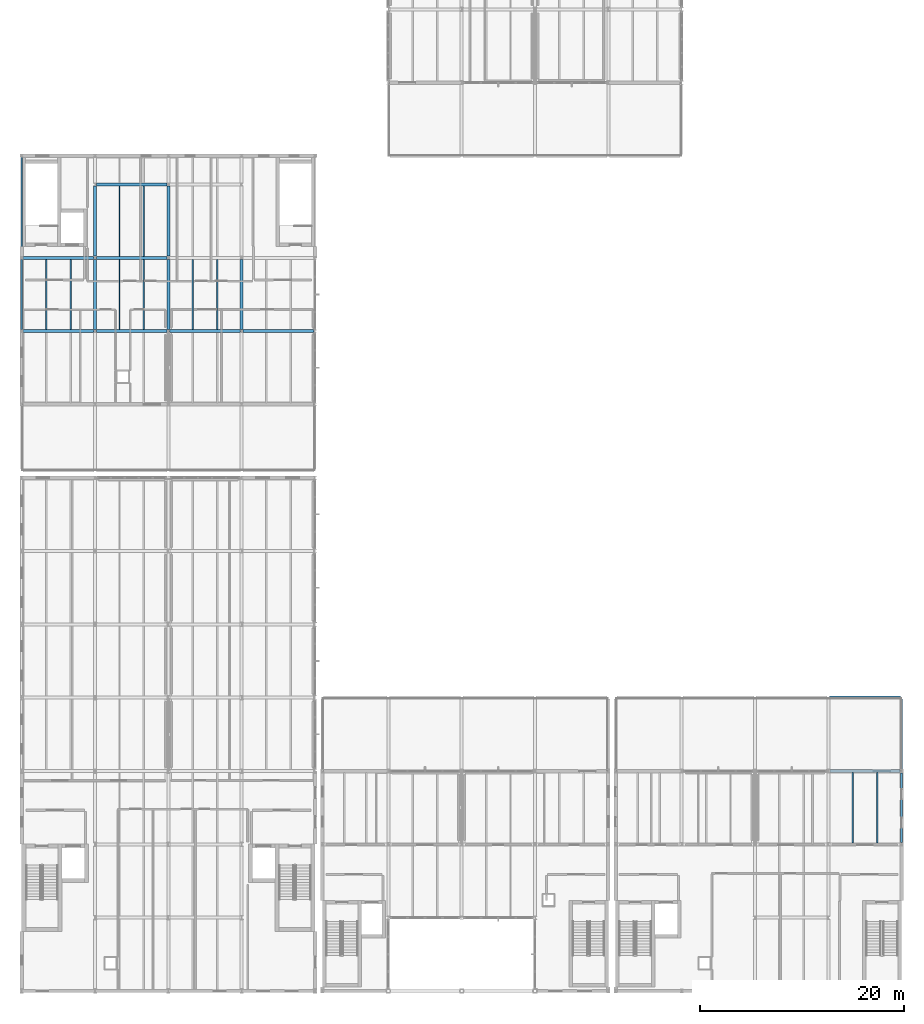
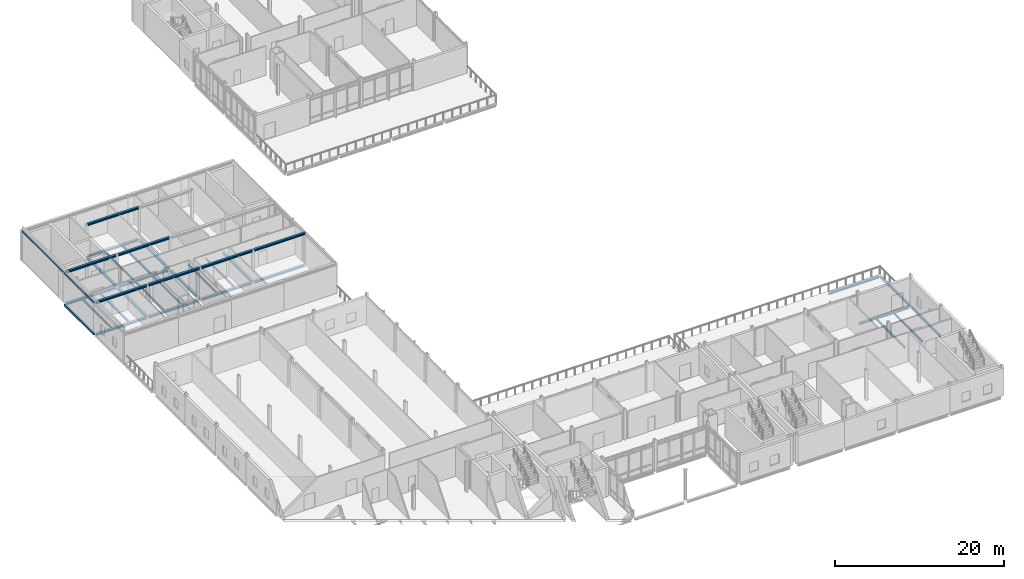
# One storey, part 17 of 53: 36 beams.
"""IFC4 building model written with IfcOpenShell, lengths in metres."""

from ifc_helpers import new_model, si_unit, direction, frame, origin, origin_2d, place, context, subcontext, project, spatial, hollow_rectangle, i_section, extrude, material, material_profile, profile_set, type_object, element, save


model = new_model("IFC4")

# Units and contexts
model_context = context("Model", 3, precision=1e-05, world=origin(), true_north=direction((0.0, 1.0)))
body_context = subcontext(model_context, "Body", "Model", "MODEL_VIEW")
ifc_project = project(units=[si_unit("LENGTHUNIT", "METRE"), si_unit("AREAUNIT", "SQUARE_METRE"), si_unit("VOLUMEUNIT", "CUBIC_METRE"), si_unit("PLANEANGLEUNIT", "RADIAN"), si_unit("MASSUNIT", "GRAM", prefix="KILO")], contexts=[model_context])

# Site, building, storey
site_placement = place(None, origin())
site = spatial("IfcSite", under=ifc_project, at=site_placement, CompositionType="ELEMENT")
building_placement = place(site_placement, origin())
building = spatial("IfcBuilding", under=site, at=building_placement, Name="Zarrinpeak Specialist Clinic", CompositionType="ELEMENT")
storey_placement = place(building_placement, frame((0.0, 0.0, 14.0)))
storey = spatial("IfcBuildingStorey", under=building, at=storey_placement, Name="L03", CompositionType="ELEMENT", Elevation=14.0)

# Beams
ifc_material = material(Name="Steel S355", Category="steel")
ifc_material_profile_1 = material_profile(ifc_material, i_section(OverallWidth=0.300048828125, OverallDepth=0.2900390625, WebThickness=0.008544921875, FlangeThickness=0.013916015625, FilletRadius=0.027099609375, at=origin_2d()), Name="HEA 300")
ifc_profile_set_1 = profile_set([ifc_material_profile_1], Name="Steel S355")
beam_type_1 = type_object("IfcBeamType", Name="BM-HEA300", PredefinedType="BEAM", material=ifc_profile_set_1)
beam_1_placement = place(storey_placement, frame((79.347900390625, 21.60009765625, -0.344970703125), z_axis=(1.0, 0.0, 0.0), x_axis=(0.0, 1.0, 0.0)))
element("IfcBeam", 1, at=beam_1_placement, inside=storey, type_object=beam_type_1, Name="L03 Primary Floor Girder BM-L03-X1524", PredefinedType="BEAM", context=body_context, shape_type="SweptSolid", body=[
    extrude(i_section(OverallWidth=0.300048828125, OverallDepth=0.2900390625, WebThickness=0.008544921875, FlangeThickness=0.013916015625, FilletRadius=0.027099609375, at=origin_2d()), origin(), (0.0, 0.0, 1.0), 6.904052734375),
])
beam_2_placement = place(storey_placement, frame((79.318115234375, 28.800048828125, -0.340087890625), z_axis=(1.0, 0.0, 0.0), x_axis=(0.0, 1.0, 0.0)))
element("IfcBeam", 2, at=beam_2_placement, inside=storey, type_object=beam_type_1, Name="L03 Primary Floor Girder BM-L03-X1536", PredefinedType="BEAM", context=body_context, shape_type="SweptSolid", body=[
    extrude(i_section(OverallWidth=0.300048828125, OverallDepth=0.2900390625, WebThickness=0.008544921875, FlangeThickness=0.013916015625, FilletRadius=0.027099609375, at=origin_2d()), origin(), (0.0, 0.0, 1.0), 6.9638671875),
])
for number, where, z_axis, x_axis, name in (
    (3, (0.14794921875, 64.800048828125, -0.344970703125), (1.0, 0.0, 0.0), (0.0, 1.0, 0.0), "L03 Primary Floor Girder BM-L03-X1557"),
    (4, (7.347900390625, 64.800048828125, -0.344970703125), (1.0, 0.0, 0.0), (0.0, 1.0, 0.0), "L03 Primary Floor Girder BM-L03-X1558"),
):
    element("IfcBeam", number, at=place(storey_placement, frame(where, z_axis=z_axis, x_axis=x_axis)), inside=storey, type_object=beam_type_1, Name=name, PredefinedType="BEAM", context=body_context, shape_type="SweptSolid", body=[
        extrude(i_section(OverallWidth=0.300048828125, OverallDepth=0.2900390625, WebThickness=0.008544921875, FlangeThickness=0.013916015625, FilletRadius=0.027099609375, at=origin_2d()), origin(), (0.0, 0.0, 1.0), 6.904052734375),
    ])
beam_3_placement = place(storey_placement, frame((14.548095703125, 64.800048828125, -0.344970703125), z_axis=(1.0, 0.0, 0.0), x_axis=(0.0, 1.0, 0.0)))
element("IfcBeam", 5, at=beam_3_placement, inside=storey, type_object=beam_type_1, Name="L03 Primary Floor Girder BM-L03-X1559", PredefinedType="BEAM", context=body_context, shape_type="SweptSolid", body=[
    extrude(i_section(OverallWidth=0.300048828125, OverallDepth=0.2900390625, WebThickness=0.008544921875, FlangeThickness=0.013916015625, FilletRadius=0.027099609375, at=origin_2d()), origin(), (0.0, 0.0, 1.0), 6.90380859375),
])
for number, where, z_axis, x_axis, name in (
    (6, (21.748046875, 64.800048828125, -0.344970703125), (1.0, 0.0, 0.0), (0.0, 1.0, 0.0), "L03 Primary Floor Girder BM-L03-X1560"),
    (7, (0.14794921875, 72.0, -0.344970703125), (1.0, 0.0, 0.0), (0.0, 1.0, 0.0), "L03 Primary Floor Girder BM-L03-X1561"),
    (8, (7.347900390625, 72.0, -0.344970703125), (1.0, 0.0, 0.0), (0.0, 1.0, 0.0), "L03 Primary Floor Girder BM-L03-X1562"),
    (9, (7.347900390625, 79.199951171875, -0.344970703125), (1.0, 0.0, 0.0), (0.0, 1.0, 0.0), "L03 Primary Floor Girder BM-L03-X1565"),
):
    element("IfcBeam", number, at=place(storey_placement, frame(where, z_axis=z_axis, x_axis=x_axis)), inside=storey, type_object=beam_type_1, Name=name, PredefinedType="BEAM", context=body_context, shape_type="SweptSolid", body=[
        extrude(i_section(OverallWidth=0.300048828125, OverallDepth=0.2900390625, WebThickness=0.008544921875, FlangeThickness=0.013916015625, FilletRadius=0.027099609375, at=origin_2d()), origin(), (0.0, 0.0, 1.0), 6.904052734375),
    ])
for number, where, z_axis, x_axis, name in (
    (10, (7.199951171875, 64.9580078125, -0.344970703125), (0.0, 1.0, 0.0), (-1.0, 0.0, 0.0), "L03 Primary Beam BM-L03-Y1609"),
    (11, (7.199951171875, 72.157958984375, -0.344970703125), (0.0, 1.0, 0.0), (-1.0, 0.0, 0.0), "L03 Primary Beam BM-L03-Y1610"),
    (12, (14.39990234375, 64.9580078125, -0.344970703125), (0.0, 1.0, 0.0), (-1.0, 0.0, 0.0), "L03 Primary Beam BM-L03-Y1621"),
    (13, (14.39990234375, 72.157958984375, -0.344970703125), (0.0, 1.0, 0.0), (-1.0, 0.0, 0.0), "L03 Primary Beam BM-L03-Y1622"),
    (14, (21.60009765625, 64.9580078125, -0.344970703125), (0.0, 1.0, 0.0), (-1.0, 0.0, 0.0), "L03 Primary Beam BM-L03-Y1633"),
):
    element("IfcBeam", number, at=place(storey_placement, frame(where, z_axis=z_axis, x_axis=x_axis)), inside=storey, type_object=beam_type_1, Name=name, PredefinedType="BEAM", context=body_context, shape_type="SweptSolid", body=[
        extrude(i_section(OverallWidth=0.300048828125, OverallDepth=0.2900390625, WebThickness=0.008544921875, FlangeThickness=0.013916015625, FilletRadius=0.027099609375, at=origin_2d()), origin(), (0.0, 0.0, 1.0), 6.884033203125),
    ])
beam_4_placement = place(storey_placement, frame((0.117919921875, 64.800048828125, 4.25), z_axis=(1.0, 0.0, 0.0), x_axis=(0.0, 1.0, 0.0)))
element("IfcBeam", 15, at=beam_4_placement, inside=storey, type_object=beam_type_1, Name="L03 Gable Eave Tie Girder V5 BM-RF-EAVE-2427", PredefinedType="BEAM", context=body_context, shape_type="SweptSolid", body=[
    extrude(i_section(OverallWidth=0.300048828125, OverallDepth=0.2900390625, WebThickness=0.008544921875, FlangeThickness=0.013916015625, FilletRadius=0.027099609375, at=origin_2d()), origin(), (0.0, 0.0, 1.0), 6.964111328125),
])
for number, where, z_axis, x_axis, name in (
    (16, (7.318115234375, 64.800048828125, 4.25), (1.0, 0.0, 0.0), (0.0, 1.0, 0.0), "L03 Gable Eave Tie Girder V5 BM-RF-EAVE-2428"),
    (17, (14.51806640625, 64.800048828125, 4.25), (1.0, 0.0, 0.0), (0.0, 1.0, 0.0), "L03 Gable Eave Tie Girder V5 BM-RF-EAVE-2429"),
    (18, (21.718017578125, 64.800048828125, 4.25), (1.0, 0.0, 0.0), (0.0, 1.0, 0.0), "L03 Gable Eave Tie Girder V5 BM-RF-EAVE-2430"),
):
    element("IfcBeam", number, at=place(storey_placement, frame(where, z_axis=z_axis, x_axis=x_axis)), inside=storey, type_object=beam_type_1, Name=name, PredefinedType="BEAM", context=body_context, shape_type="SweptSolid", body=[
        extrude(i_section(OverallWidth=0.300048828125, OverallDepth=0.2900390625, WebThickness=0.008544921875, FlangeThickness=0.013916015625, FilletRadius=0.027099609375, at=origin_2d()), origin(), (0.0, 0.0, 1.0), 6.9638671875),
    ])
beam_5_placement = place(storey_placement, frame((0.117919921875, 72.0, 4.25), z_axis=(1.0, 0.0, 0.0), x_axis=(0.0, 1.0, 0.0)))
element("IfcBeam", 19, at=beam_5_placement, inside=storey, type_object=beam_type_1, Name="L03 Gable Eave Tie Girder V5 BM-RF-EAVE-2431", PredefinedType="BEAM", context=body_context, shape_type="SweptSolid", body=[
    extrude(i_section(OverallWidth=0.300048828125, OverallDepth=0.2900390625, WebThickness=0.008544921875, FlangeThickness=0.013916015625, FilletRadius=0.027099609375, at=origin_2d()), origin(), (0.0, 0.0, 1.0), 6.964111328125),
])
for number, where, z_axis, x_axis, name in (
    (20, (7.318115234375, 72.0, 4.25), (1.0, 0.0, 0.0), (0.0, 1.0, 0.0), "L03 Gable Eave Tie Girder V5 BM-RF-EAVE-2432"),
    (21, (7.318115234375, 79.199951171875, 4.25), (1.0, 0.0, 0.0), (0.0, 1.0, 0.0), "L03 Gable Eave Tie Girder V5 BM-RF-EAVE-2435"),
):
    element("IfcBeam", number, at=place(storey_placement, frame(where, z_axis=z_axis, x_axis=x_axis)), inside=storey, type_object=beam_type_1, Name=name, PredefinedType="BEAM", context=body_context, shape_type="SweptSolid", body=[
        extrude(i_section(OverallWidth=0.300048828125, OverallDepth=0.2900390625, WebThickness=0.008544921875, FlangeThickness=0.013916015625, FilletRadius=0.027099609375, at=origin_2d()), origin(), (0.0, 0.0, 1.0), 6.9638671875),
    ])
ifc_material_profile_2 = material_profile(ifc_material, i_section(OverallWidth=0.135009765625, OverallDepth=0.27001953125, WebThickness=0.006591796875, FlangeThickness=0.01025390625, FilletRadius=0.014892578125, at=origin_2d()), Name="IPE 270")
ifc_profile_set_2 = profile_set([ifc_material_profile_2], Name="Steel S355")
beam_type_2 = type_object("IfcBeamType", Name="BM-JST270", PredefinedType="JOIST", material=ifc_profile_set_2)
for number, where, z_axis, x_axis, name in (
    (22, (81.60009765625, 14.548095703125, -0.3349609375), (0.0, 1.0, 0.0), (-1.0, 0.0, 0.0), "L03 Composite Floor Joist JST-L03-1759"),
    (23, (84.0, 14.548095703125, -0.3349609375), (0.0, 1.0, 0.0), (-1.0, 0.0, 0.0), "L03 Composite Floor Joist JST-L03-1760"),
):
    element("IfcBeam", number, at=place(storey_placement, frame(where, z_axis=z_axis, x_axis=x_axis)), inside=storey, type_object=beam_type_2, Name=name, PredefinedType="JOIST", context=body_context, shape_type="SweptSolid", body=[
        extrude(i_section(OverallWidth=0.135009765625, OverallDepth=0.27001953125, WebThickness=0.006591796875, FlangeThickness=0.01025390625, FilletRadius=0.014892578125, at=origin_2d()), origin(), (0.0, 0.0, 1.0), 6.90380859375),
    ])
for number, where, z_axis, x_axis, name in (
    (24, (2.39990234375, 64.947998046875, -0.3349609375), (0.0, 1.0, 0.0), (-1.0, 0.0, 0.0), "L03 Composite Floor Joist JST-L03-1763"),
    (25, (4.800048828125, 64.947998046875, -0.3349609375), (0.0, 1.0, 0.0), (-1.0, 0.0, 0.0), "L03 Composite Floor Joist JST-L03-1764"),
    (26, (9.60009765625, 64.947998046875, -0.3349609375), (0.0, 1.0, 0.0), (-1.0, 0.0, 0.0), "L03 Composite Floor Joist JST-L03-1766"),
    (27, (12.0, 64.947998046875, -0.3349609375), (0.0, 1.0, 0.0), (-1.0, 0.0, 0.0), "L03 Composite Floor Joist JST-L03-1767"),
    (28, (9.60009765625, 72.14794921875, -0.3349609375), (0.0, 1.0, 0.0), (-1.0, 0.0, 0.0), "L03 Composite Floor Joist JST-L03-1768"),
    (29, (12.0, 72.14794921875, -0.3349609375), (0.0, 1.0, 0.0), (-1.0, 0.0, 0.0), "L03 Composite Floor Joist JST-L03-1769"),
    (30, (16.800048828125, 64.947998046875, -0.3349609375), (0.0, 1.0, 0.0), (-1.0, 0.0, 0.0), "L03 Composite Floor Joist JST-L03-1774"),
    (31, (19.199951171875, 64.947998046875, -0.3349609375), (0.0, 1.0, 0.0), (-1.0, 0.0, 0.0), "L03 Composite Floor Joist JST-L03-1775"),
):
    element("IfcBeam", number, at=place(storey_placement, frame(where, z_axis=z_axis, x_axis=x_axis)), inside=storey, type_object=beam_type_2, Name=name, PredefinedType="JOIST", context=body_context, shape_type="SweptSolid", body=[
        extrude(i_section(OverallWidth=0.135009765625, OverallDepth=0.27001953125, WebThickness=0.006591796875, FlangeThickness=0.01025390625, FilletRadius=0.014892578125, at=origin_2d()), origin(), (0.0, 0.0, 1.0), 6.904052734375),
    ])
ifc_material_profile_3 = material_profile(ifc_material, hollow_rectangle(XDim=0.14990234375, YDim=0.25, WallThickness=0.010009765625, at=origin_2d()), Name="RHS 250x150x10.0")
ifc_profile_set_3 = profile_set([ifc_material_profile_3], Name="Steel S355")
beam_type_3 = type_object("IfcBeamType", Name="BM-SP250", PredefinedType="SPANDREL", material=ifc_profile_set_3)
beam_6_placement = place(storey_placement, frame((0.0, 64.91796875, 4.25), z_axis=(0.0, 1.0, 0.0), x_axis=(-1.0, 0.0, 0.0)))
element("IfcBeam", 32, at=beam_6_placement, inside=storey, type_object=beam_type_3, Name="L03 Gable Eave Spandrel Beam V5 BM-RF-SP-2442", PredefinedType="SPANDREL", context=body_context, shape_type="SweptSolid", body=[
    extrude(hollow_rectangle(XDim=0.14990234375, YDim=0.25, WallThickness=0.010009765625, at=origin_2d()), origin(), (0.0, 0.0, 1.0), 6.964111328125),
])
beam_7_placement = place(storey_placement, frame((0.0, 72.117919921875, 4.25), z_axis=(0.0, 1.0, 0.0), x_axis=(-1.0, 0.0, 0.0)))
element("IfcBeam", 33, at=beam_7_placement, inside=storey, type_object=beam_type_3, Name="L03 Gable Eave Spandrel Beam V5 BM-RF-SP-2443", PredefinedType="SPANDREL", context=body_context, shape_type="SweptSolid", body=[
    extrude(hollow_rectangle(XDim=0.14990234375, YDim=0.25, WallThickness=0.010009765625, at=origin_2d()), origin(), (0.0, 0.0, 1.0), 9.76416015625),
])
ifc_material_profile_4 = material_profile(ifc_material, hollow_rectangle(XDim=0.199951171875, YDim=0.300048828125, WallThickness=0.012451171875, at=origin_2d()), Name="RHS 300x200x12.5")
ifc_profile_set_4 = profile_set([ifc_material_profile_4], Name="Steel S355")
beam_type_4 = type_object("IfcBeamType", Name="BM-SP300", PredefinedType="SPANDREL", material=ifc_profile_set_4)
beam_8_placement = place(storey_placement, frame((0.0, 64.9580078125, -0.35009765625), z_axis=(0.0, 1.0, 0.0), x_axis=(-1.0, 0.0, 0.0)))
element("IfcBeam", 34, at=beam_8_placement, inside=storey, type_object=beam_type_4, Name="L03 Perimeter Spandrel Beam BM-L03-Y1599", PredefinedType="SPANDREL", context=body_context, shape_type="SweptSolid", body=[
    extrude(hollow_rectangle(XDim=0.199951171875, YDim=0.300048828125, WallThickness=0.012451171875, at=origin_2d()), origin(), (0.0, 0.0, 1.0), 6.884033203125),
])
beam_9_placement = place(storey_placement, frame((86.39990234375, 14.577880859375, -0.35009765625), z_axis=(0.0, 1.0, 0.0), x_axis=(-1.0, 0.0, 0.0)))
element("IfcBeam", 35, at=beam_9_placement, inside=storey, type_object=beam_type_4, Name="L03 Perimeter Spandrel Beam BM-L03-Y1691", PredefinedType="SPANDREL", context=body_context, shape_type="SweptSolid", body=[
    extrude(hollow_rectangle(XDim=0.199951171875, YDim=0.300048828125, WallThickness=0.012451171875, at=origin_2d()), origin(), (0.0, 0.0, 1.0), 6.84423828125),
])
beam_10_placement = place(storey_placement, frame((86.39990234375, 21.778076171875, -0.344970703125), z_axis=(0.0, 1.0, 0.0), x_axis=(-1.0, 0.0, 0.0)))
element("IfcBeam", 36, at=beam_10_placement, inside=storey, type_object=beam_type_4, Name="L03 Perimeter Spandrel Beam BM-L03-Y1692", PredefinedType="SPANDREL", context=body_context, shape_type="SweptSolid", body=[
    extrude(hollow_rectangle(XDim=0.199951171875, YDim=0.300048828125, WallThickness=0.012451171875, at=origin_2d()), origin(), (0.0, 0.0, 1.0), 6.90380859375),
])

save(model, "model.ifc")
